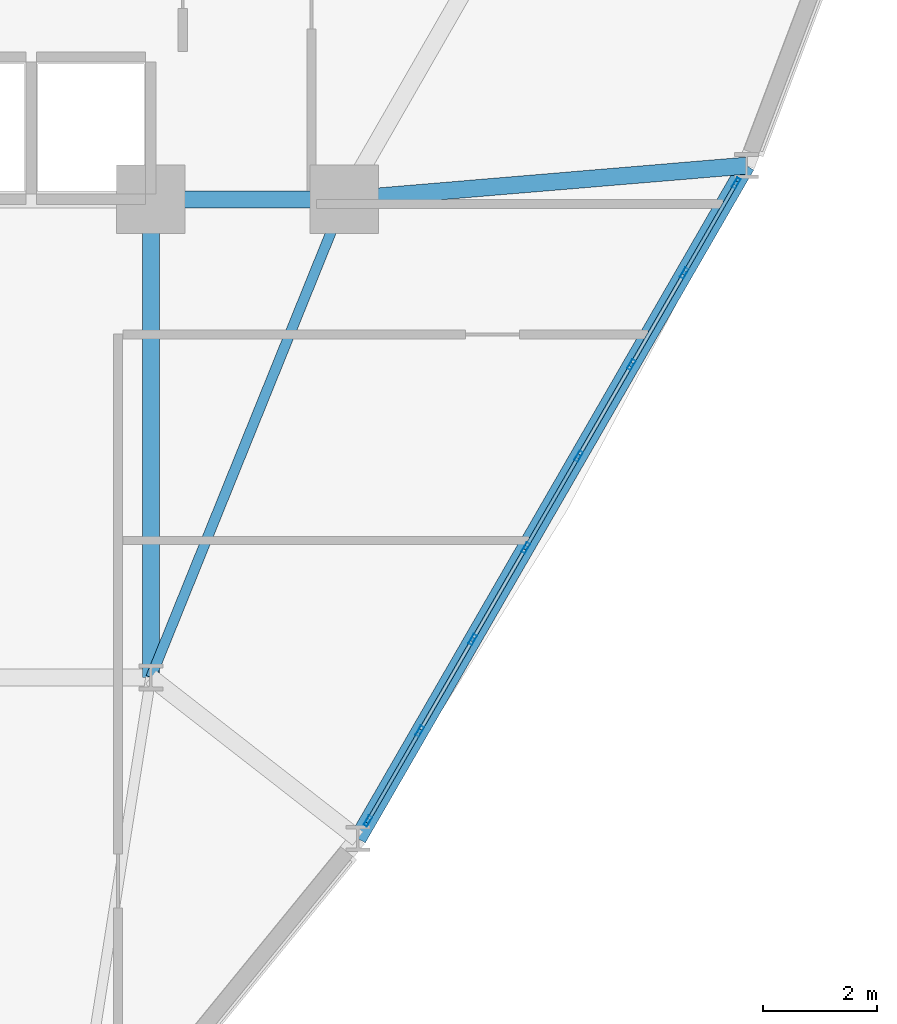
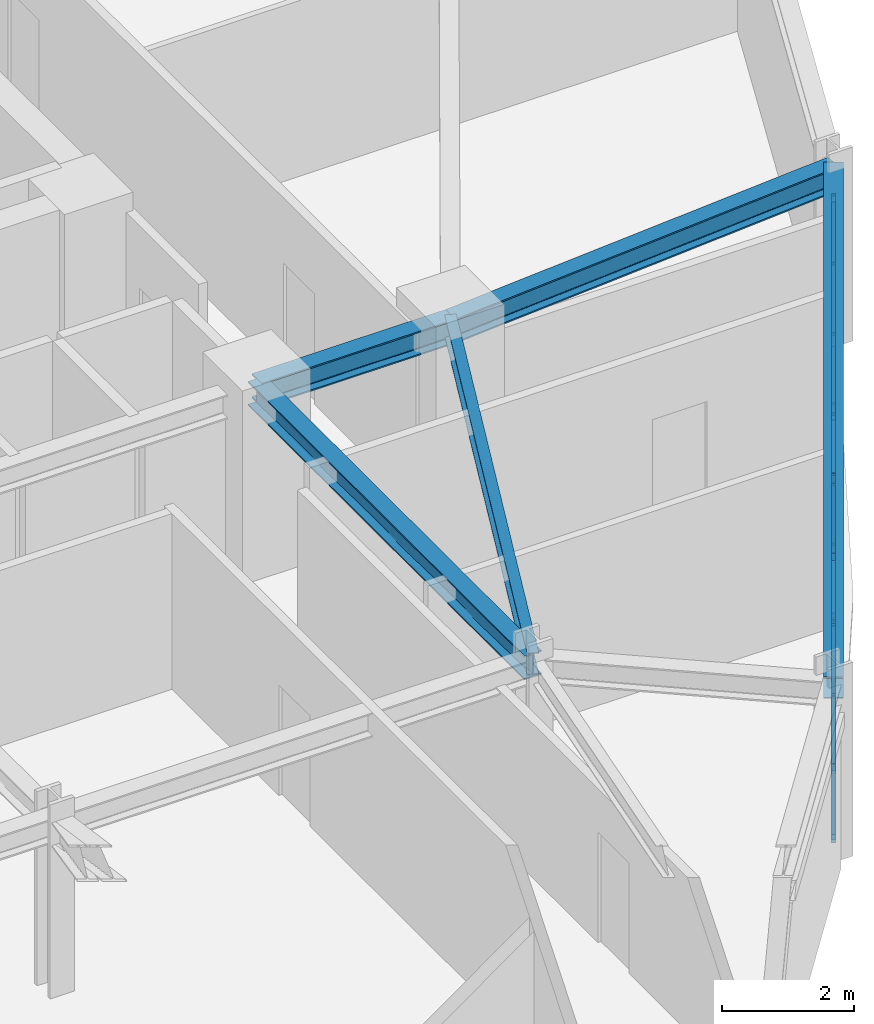
# One storey, part 6 of 17: 25 members, 5 beams, 1 element without a shape of its own.
"""IFC4 building model written with IfcOpenShell, lengths in metres."""

from ifc_helpers import new_model, si_unit, derived_unit, direction, frame, origin, origin_2d, place, context, subcontext, project, spatial, hollow_rectangle, i_section, extrude, source, transform, mapped, material, layer, layer_set, material_profile, profile_set, type_object, element, aggregate, save


model = new_model("IFC4")

# Units and contexts
model_context = context("Model", 3, precision=1e-05, world=origin(), true_north=direction((0.0, 1.0)))
body_context = subcontext(model_context, "Body", "Model", "MODEL_VIEW")
ifc_project = project(units=[si_unit("LENGTHUNIT", "METRE"), si_unit("AREAUNIT", "SQUARE_METRE"), si_unit("VOLUMEUNIT", "CUBIC_METRE"), si_unit("PLANEANGLEUNIT", "RADIAN"), si_unit("MASSUNIT", "GRAM", prefix="KILO"), derived_unit("THERMALTRANSMITTANCEUNIT", [(si_unit("POWERUNIT", "WATT"), 1), (si_unit("LENGTHUNIT", "METRE"), -2), (si_unit("THERMODYNAMICTEMPERATUREUNIT", "KELVIN"), -1)])], contexts=[model_context])

# Site, building, storey
site_placement = place(None, origin())
site = spatial("IfcSite", under=ifc_project, at=site_placement, CompositionType="ELEMENT")
building_placement = place(site_placement, origin())
building = spatial("IfcBuilding", under=site, at=building_placement, Name="Korsvarv Bourse and Concert Hall", CompositionType="ELEMENT")
storey_placement = place(building_placement, frame((0.0, 0.0, 127.800048828125)))
storey = spatial("IfcBuildingStorey", under=building, at=storey_placement, Name="L32", CompositionType="ELEMENT", Elevation=127.800048828125)

# Beams
ifc_material_1 = material(Name="Steel S355", Category="steel")
ifc_material_profile_1 = material_profile(ifc_material_1, i_section(OverallWidth=0.179931640625, OverallDepth=0.39990234375, WebThickness=0.008544921875, FlangeThickness=0.013427734375, FilletRadius=0.02099609375, at=origin_2d()), Name="IPE 400")
ifc_profile_set_1 = profile_set([ifc_material_profile_1], Name="Steel S355")
beam_type_1 = type_object("IfcBeamType", Name="BM-IPE400", PredefinedType="JOIST", material=ifc_profile_set_1)
shared_shape_1 = source(origin(), body_context, "Body", "SweptSolid", [
    extrude(i_section(OverallWidth=0.179931640625, OverallDepth=0.39990234375, WebThickness=0.008544921875, FlangeThickness=0.013427734375, FilletRadius=0.02099609375, at=origin_2d()), origin(), (0.0, 0.0, 1.0), 9.06201171875),
])
beam_1_placement = place(storey_placement, frame((47.800048828125, 32.39990234375, 3.06005859375), z_axis=(-0.375210394783, -0.926939674222, 0.0), x_axis=(0.926939674222, -0.375210394783, 0.0)))
element("IfcBeam", 1, at=beam_1_placement, inside=storey, type_object=beam_type_1, Name="L32 beam J-05", PredefinedType="JOIST", context=body_context, shape_type="MappedRepresentation", body=[
    mapped(shared_shape_1, transform((0.0, 0.0, 0.0), scale=1.0)),
])
ifc_material_profile_2 = material_profile(ifc_material_1, i_section(OverallWidth=0.300048828125, OverallDepth=0.449951171875, WebThickness=0.013916015625, FlangeThickness=0.02587890625, FilletRadius=0.02099609375, at=origin_2d()), Name="HEB 450")
ifc_profile_set_2 = profile_set([ifc_material_profile_2], Name="Steel S355")
beam_type_2 = type_object("IfcBeamType", Name="BM-HEB450", PredefinedType="SPANDREL", material=ifc_profile_set_2)
shared_shape_2 = source(origin(), body_context, "Body", "SweptSolid", [
    extrude(i_section(OverallWidth=0.300048828125, OverallDepth=0.449951171875, WebThickness=0.013916015625, FlangeThickness=0.02587890625, FilletRadius=0.02099609375, at=origin_2d()), origin(), (0.0, 0.0, 1.0), 3.400146484375),
])
beam_2_placement = place(storey_placement, frame((44.39990234375, 32.39990234375, 3.034912109375), z_axis=(1.0, 0.0, 0.0), x_axis=(0.0, 1.0, 0.0)))
element("IfcBeam", 2, at=beam_2_placement, inside=storey, type_object=beam_type_2, Name="L32 beam B-08", PredefinedType="SPANDREL", context=body_context, shape_type="MappedRepresentation", body=[
    mapped(shared_shape_2, transform((0.0, 0.0, 0.0), scale=1.0)),
])
shared_shape_3 = source(origin(), body_context, "Body", "SweptSolid", [
    extrude(i_section(OverallWidth=0.300048828125, OverallDepth=0.449951171875, WebThickness=0.013916015625, FlangeThickness=0.02587890625, FilletRadius=0.02099609375, at=origin_2d()), origin(), (0.0, 0.0, 1.0), 8.39990234375),
])
beam_3_placement = place(storey_placement, frame((44.39990234375, 24.0, 3.034912109375), z_axis=(0.0, 1.0, 0.0), x_axis=(-1.0, 0.0, 0.0)))
element("IfcBeam", 3, at=beam_3_placement, inside=storey, type_object=beam_type_2, Name="L32 beam B-08", PredefinedType="SPANDREL", context=body_context, shape_type="MappedRepresentation", body=[
    mapped(shared_shape_3, transform((0.0, 0.0, 0.0), scale=1.0)),
])
ifc_material_profile_3 = material_profile(ifc_material_1, i_section(OverallWidth=0.300048828125, OverallDepth=0.39990234375, WebThickness=0.013427734375, FlangeThickness=0.02392578125, FilletRadius=0.02099609375, at=origin_2d()), Name="HEB 400")
ifc_profile_set_3 = profile_set([ifc_material_profile_3], Name="Steel S355")
beam_type_3 = type_object("IfcBeamType", Name="BM-HEB400", PredefinedType="SPANDREL", material=ifc_profile_set_3)
shared_shape_4 = source(origin(), body_context, "Body", "SweptSolid", [
    extrude(i_section(OverallWidth=0.300048828125, OverallDepth=0.39990234375, WebThickness=0.013427734375, FlangeThickness=0.02392578125, FilletRadius=0.02099609375, at=origin_2d()), origin(), (0.0, 0.0, 1.0), 13.6533203125),
])
beam_4_placement = place(storey_placement, frame((48.03759765625, 21.167236328125, 3.06005859375), z_axis=(0.499996939111, 0.866027170982, 0.0), x_axis=(-0.866027170982, 0.499996939111, 0.0)))
element("IfcBeam", 4, at=beam_4_placement, inside=storey, type_object=beam_type_3, Name="L32 beam B-09", PredefinedType="SPANDREL", context=body_context, shape_type="MappedRepresentation", body=[
    mapped(shared_shape_4, transform((0.0, 0.0, 0.0), scale=1.0)),
])
shared_shape_5 = source(origin(), body_context, "Body", "SweptSolid", [
    extrude(i_section(OverallWidth=0.300048828125, OverallDepth=0.449951171875, WebThickness=0.013916015625, FlangeThickness=0.02587890625, FilletRadius=0.02099609375, at=origin_2d()), origin(), (0.0, 0.0, 1.0), 7.0888671875),
])
beam_5_placement = place(storey_placement, frame((54.8642578125, 32.991455078125, 3.034912109375), z_axis=(-0.996512187592, -0.083447348558, 0.0), x_axis=(0.083447348558, -0.996512187592, 0.0)))
element("IfcBeam", 5, at=beam_5_placement, inside=storey, type_object=beam_type_2, Name="L32 beam B-08", PredefinedType="SPANDREL", context=body_context, shape_type="MappedRepresentation", body=[
    mapped(shared_shape_5, transform((0.0, 0.0, 0.0), scale=1.0)),
])

# Curtain wall, members
ifc_material_2 = material(Name="Anodised aluminium and triple low-E glazing", Category="glass")
ifc_layer = layer(ifc_material_2, 0.2099609375)
ifc_layer_set = layer_set([ifc_layer], Name="Anodised aluminium and triple low-E glazing")
curtain_wall_type = type_object("IfcCurtainWallType", Name="CW-SYS-2", PredefinedType="NOTDEFINED", material=ifc_layer_set)
curtain_wall_placement = place(storey_placement, origin())
curtain_wall = element("IfcCurtainWall", 6, at=curtain_wall_placement, inside=storey, type_object=curtain_wall_type, Name="L32 CW2 curtain wall CW-L32-F11", PredefinedType="NOTDEFINED")
ifc_material_3 = material(Name="Extruded aluminium EN AW-6063 T66", Category="aluminium")
ifc_material_profile_4 = material_profile(ifc_material_3, hollow_rectangle(XDim=0.06494140625, YDim=0.139892578125, WallThickness=0.00390625, at=origin_2d()), Name="ALU-T 65x140")
ifc_profile_set_4 = profile_set([ifc_material_profile_4], Name="Extruded aluminium EN AW-6063 T66")
member_type_1 = type_object("IfcMemberType", Name="CWT-140", PredefinedType="USERDEFINED", material=ifc_profile_set_4)
shared_shape_6 = source(origin(), body_context, "Body", "SweptSolid", [
    extrude(hollow_rectangle(XDim=0.06494140625, YDim=0.139892578125, WallThickness=0.00390625, at=origin_2d()), origin(), (0.0, 0.0, 1.0), 1.75390625),
])
member_1_placement = place(storey_placement, frame((48.232666015625, 21.50537109375, 0.032470703125), z_axis=(0.499971461383, 0.866041879935, 0.0), x_axis=(-0.866041879935, 0.499971461383, 0.0)))
member_1 = element("IfcMember", 7, at=member_1_placement, type_object=member_type_1, Name="CW2 transom 1.1", ObjectType="TRANSOM", PredefinedType="USERDEFINED", context=body_context, shape_type="MappedRepresentation", body=[
    mapped(shared_shape_6, transform((0.0, 0.0, 0.0), scale=1.0)),
])
member_2_placement = place(storey_placement, frame((48.232666015625, 21.50537109375, 2.827392578125), z_axis=(0.499971461383, 0.866041879935, 0.0), x_axis=(-0.866041879935, 0.499971461383, 0.0)))
member_2 = element("IfcMember", 8, at=member_2_placement, type_object=member_type_1, Name="CW2 transom 1.2", ObjectType="TRANSOM", PredefinedType="USERDEFINED", context=body_context, shape_type="MappedRepresentation", body=[
    mapped(shared_shape_6, transform((0.0, 0.0, 0.0), scale=1.0)),
])
member_3_placement = place(storey_placement, frame((53.792236328125, 31.134521484375, 0.032470703125), z_axis=(0.500031736301, 0.866007080047, 0.0), x_axis=(-0.866007080047, 0.500031736301, 0.0)))
member_3 = element("IfcMember", 9, at=member_3_placement, type_object=member_type_1, Name="CW2 transom 7.1", ObjectType="TRANSOM", PredefinedType="USERDEFINED", context=body_context, shape_type="MappedRepresentation", body=[
    mapped(shared_shape_6, transform((0.0, 0.0, 0.0), scale=1.0)),
])
member_4_placement = place(storey_placement, frame((53.792236328125, 31.134521484375, 2.827392578125), z_axis=(0.500031736301, 0.866007080047, 0.0), x_axis=(-0.866007080047, 0.500031736301, 0.0)))
member_4 = element("IfcMember", 10, at=member_4_placement, type_object=member_type_1, Name="CW2 transom 7.2", ObjectType="TRANSOM", PredefinedType="USERDEFINED", context=body_context, shape_type="MappedRepresentation", body=[
    mapped(shared_shape_6, transform((0.0, 0.0, 0.0), scale=1.0)),
])
shared_shape_7 = source(origin(), body_context, "Body", "SweptSolid", [
    extrude(hollow_rectangle(XDim=0.06494140625, YDim=0.139892578125, WallThickness=0.00390625, at=origin_2d()), origin(), (0.0, 0.0, 1.0), 1.788818359375),
])
member_5_placement = place(storey_placement, frame((49.144775390625, 23.0849609375, 0.032470703125), z_axis=(0.499911478227, 0.866076505822, 0.0), x_axis=(-0.866076505822, 0.499911478227, 0.0)))
member_5 = element("IfcMember", 11, at=member_5_placement, type_object=member_type_1, Name="CW2 transom 2.1", ObjectType="TRANSOM", PredefinedType="USERDEFINED", context=body_context, shape_type="MappedRepresentation", body=[
    mapped(shared_shape_7, transform((0.0, 0.0, 0.0), scale=1.0)),
])
member_6_placement = place(storey_placement, frame((49.144775390625, 23.0849609375, 2.827392578125), z_axis=(0.499911478227, 0.866076505822, 0.0), x_axis=(-0.866076505822, 0.499911478227, 0.0)))
member_6 = element("IfcMember", 12, at=member_6_placement, type_object=member_type_1, Name="CW2 transom 2.2", ObjectType="TRANSOM", PredefinedType="USERDEFINED", context=body_context, shape_type="MappedRepresentation", body=[
    mapped(shared_shape_7, transform((0.0, 0.0, 0.0), scale=1.0)),
])
member_7_placement = place(storey_placement, frame((52.862548828125, 29.524658203125, 0.032470703125), z_axis=(0.500072935515, 0.86598329035, 0.0), x_axis=(-0.86598329035, 0.500072935515, 0.0)))
member_7 = element("IfcMember", 13, at=member_7_placement, type_object=member_type_1, Name="CW2 transom 6.1", ObjectType="TRANSOM", PredefinedType="USERDEFINED", context=body_context, shape_type="MappedRepresentation", body=[
    mapped(shared_shape_7, transform((0.0, 0.0, 0.0), scale=1.0)),
])
member_8_placement = place(storey_placement, frame((52.862548828125, 29.524658203125, 2.827392578125), z_axis=(0.500072935515, 0.86598329035, 0.0), x_axis=(-0.86598329035, 0.500072935515, 0.0)))
member_8 = element("IfcMember", 14, at=member_8_placement, type_object=member_type_1, Name="CW2 transom 6.2", ObjectType="TRANSOM", PredefinedType="USERDEFINED", context=body_context, shape_type="MappedRepresentation", body=[
    mapped(shared_shape_7, transform((0.0, 0.0, 0.0), scale=1.0)),
])
shared_shape_8 = source(origin(), body_context, "Body", "SweptSolid", [
    extrude(hollow_rectangle(XDim=0.06494140625, YDim=0.139892578125, WallThickness=0.00390625, at=origin_2d()), origin(), (0.0, 0.0, 1.0), 1.7890625),
])
member_9_placement = place(storey_placement, frame((50.07421875, 24.69482421875, 0.032470703125), z_axis=(0.500013836808, 0.866017414952, 0.0), x_axis=(-0.866017414952, 0.500013836808, 0.0)))
member_9 = element("IfcMember", 15, at=member_9_placement, type_object=member_type_1, Name="CW2 transom 3.1", ObjectType="TRANSOM", PredefinedType="USERDEFINED", context=body_context, shape_type="MappedRepresentation", body=[
    mapped(shared_shape_8, transform((0.0, 0.0, 0.0), scale=1.0)),
])
member_10_placement = place(storey_placement, frame((50.07421875, 24.69482421875, 2.827392578125), z_axis=(0.500013836808, 0.866017414952, 0.0), x_axis=(-0.866017414952, 0.500013836808, 0.0)))
member_10 = element("IfcMember", 16, at=member_10_placement, type_object=member_type_1, Name="CW2 transom 3.2", ObjectType="TRANSOM", PredefinedType="USERDEFINED", context=body_context, shape_type="MappedRepresentation", body=[
    mapped(shared_shape_8, transform((0.0, 0.0, 0.0), scale=1.0)),
])
member_11_placement = place(storey_placement, frame((51.003662109375, 26.3046875, 0.032470703125), z_axis=(0.500013836808, 0.866017414952, 0.0), x_axis=(-0.866017414952, 0.500013836808, 0.0)))
member_11 = element("IfcMember", 17, at=member_11_placement, type_object=member_type_1, Name="CW2 transom 4.1", ObjectType="TRANSOM", PredefinedType="USERDEFINED", context=body_context, shape_type="MappedRepresentation", body=[
    mapped(shared_shape_8, transform((0.0, 0.0, 0.0), scale=1.0)),
])
member_12_placement = place(storey_placement, frame((51.003662109375, 26.3046875, 2.827392578125), z_axis=(0.500013836808, 0.866017414952, 0.0), x_axis=(-0.866017414952, 0.500013836808, 0.0)))
member_12 = element("IfcMember", 18, at=member_12_placement, type_object=member_type_1, Name="CW2 transom 4.2", ObjectType="TRANSOM", PredefinedType="USERDEFINED", context=body_context, shape_type="MappedRepresentation", body=[
    mapped(shared_shape_8, transform((0.0, 0.0, 0.0), scale=1.0)),
])
member_13_placement = place(storey_placement, frame((51.93310546875, 27.91455078125, 0.032470703125), z_axis=(0.500013836808, 0.866017414952, 0.0), x_axis=(-0.866017414952, 0.500013836808, 0.0)))
member_13 = element("IfcMember", 19, at=member_13_placement, type_object=member_type_1, Name="CW2 transom 5.1", ObjectType="TRANSOM", PredefinedType="USERDEFINED", context=body_context, shape_type="MappedRepresentation", body=[
    mapped(shared_shape_8, transform((0.0, 0.0, 0.0), scale=1.0)),
])
member_14_placement = place(storey_placement, frame((51.93310546875, 27.91455078125, 2.827392578125), z_axis=(0.500013836808, 0.866017414952, 0.0), x_axis=(-0.866017414952, 0.500013836808, 0.0)))
member_14 = element("IfcMember", 20, at=member_14_placement, type_object=member_type_1, Name="CW2 transom 5.2", ObjectType="TRANSOM", PredefinedType="USERDEFINED", context=body_context, shape_type="MappedRepresentation", body=[
    mapped(shared_shape_8, transform((0.0, 0.0, 0.0), scale=1.0)),
])
ifc_material_profile_5 = material_profile(ifc_material_3, hollow_rectangle(XDim=0.070068359375, YDim=0.18994140625, WallThickness=0.0048828125, at=origin_2d()), Name="ALU-M 70x190")
ifc_profile_set_5 = profile_set([ifc_material_profile_5], Name="Extruded aluminium EN AW-6063 T66")
member_type_2 = type_object("IfcMemberType", Name="CWM-190", PredefinedType="MULLION", material=ifc_profile_set_5)
shared_shape_9 = source(origin(), body_context, "Body", "SweptSolid", [
    extrude(hollow_rectangle(XDim=0.070068359375, YDim=0.18994140625, WallThickness=0.0048828125, at=origin_2d()), origin(), (0.0, 0.0, 1.0), 2.85986328125),
])
member_15_placement = place(storey_placement, frame((48.215087890625, 21.47509765625, 0.0), z_axis=(0.0, 0.0, 1.0), x_axis=(-0.866021265954, 0.500007166863, 0.0)))
member_15 = element("IfcMember", 21, at=member_15_placement, type_object=member_type_2, Name="CW2 mullion 1", PredefinedType="MULLION", context=body_context, shape_type="MappedRepresentation", body=[
    mapped(shared_shape_9, transform((0.0, 0.0, 0.0), scale=1.0)),
])
member_16_placement = place(storey_placement, frame((49.127197265625, 23.0546875, 0.0), z_axis=(0.0, 0.0, 1.0), x_axis=(-0.866021265954, 0.500007166863, 0.0)))
member_16 = element("IfcMember", 22, at=member_16_placement, type_object=member_type_2, Name="CW2 mullion 2", PredefinedType="MULLION", context=body_context, shape_type="MappedRepresentation", body=[
    mapped(shared_shape_9, transform((0.0, 0.0, 0.0), scale=1.0)),
])
member_17_placement = place(storey_placement, frame((50.056640625, 24.66455078125, 0.0), z_axis=(0.0, 0.0, 1.0), x_axis=(-0.866021265954, 0.500007166863, 0.0)))
member_17 = element("IfcMember", 23, at=member_17_placement, type_object=member_type_2, Name="CW2 mullion 3", PredefinedType="MULLION", context=body_context, shape_type="MappedRepresentation", body=[
    mapped(shared_shape_9, transform((0.0, 0.0, 0.0), scale=1.0)),
])
member_18_placement = place(storey_placement, frame((50.986083984375, 26.2744140625, 0.0), z_axis=(0.0, 0.0, 1.0), x_axis=(-0.866021265954, 0.500007166863, 0.0)))
member_18 = element("IfcMember", 24, at=member_18_placement, type_object=member_type_2, Name="CW2 mullion 4", PredefinedType="MULLION", context=body_context, shape_type="MappedRepresentation", body=[
    mapped(shared_shape_9, transform((0.0, 0.0, 0.0), scale=1.0)),
])
member_19_placement = place(storey_placement, frame((51.91552734375, 27.88427734375, 0.0), z_axis=(0.0, 0.0, 1.0), x_axis=(-0.866021265954, 0.500007166863, 0.0)))
member_19 = element("IfcMember", 25, at=member_19_placement, type_object=member_type_2, Name="CW2 mullion 5", PredefinedType="MULLION", context=body_context, shape_type="MappedRepresentation", body=[
    mapped(shared_shape_9, transform((0.0, 0.0, 0.0), scale=1.0)),
])
member_20_placement = place(storey_placement, frame((52.84521484375, 29.494140625, 0.0), z_axis=(0.0, 0.0, 1.0), x_axis=(-0.866021265954, 0.500007166863, 0.0)))
member_20 = element("IfcMember", 26, at=member_20_placement, type_object=member_type_2, Name="CW2 mullion 6", PredefinedType="MULLION", context=body_context, shape_type="MappedRepresentation", body=[
    mapped(shared_shape_9, transform((0.0, 0.0, 0.0), scale=1.0)),
])
member_21_placement = place(storey_placement, frame((53.774658203125, 31.10400390625, 0.0), z_axis=(0.0, 0.0, 1.0), x_axis=(-0.866021265954, 0.500007166863, 0.0)))
member_21 = element("IfcMember", 27, at=member_21_placement, type_object=member_type_2, Name="CW2 mullion 7", PredefinedType="MULLION", context=body_context, shape_type="MappedRepresentation", body=[
    mapped(shared_shape_9, transform((0.0, 0.0, 0.0), scale=1.0)),
])
member_22_placement = place(storey_placement, frame((54.6865234375, 32.68359375, 0.0), z_axis=(0.0, 0.0, 1.0), x_axis=(-0.866021265954, 0.500007166863, 0.0)))
member_22 = element("IfcMember", 28, at=member_22_placement, type_object=member_type_2, Name="CW2 mullion 8", PredefinedType="MULLION", context=body_context, shape_type="MappedRepresentation", body=[
    mapped(shared_shape_9, transform((0.0, 0.0, 0.0), scale=1.0)),
])
ifc_material_profile_6 = material_profile(ifc_material_3, hollow_rectangle(XDim=0.06494140625, YDim=0.1650390625, WallThickness=0.0048828125, at=origin_2d()), Name="ALU-M 65x165")
ifc_profile_set_6 = profile_set([ifc_material_profile_6], Name="Extruded aluminium EN AW-6063 T66")
member_type_3 = type_object("IfcMemberType", Name="CWM-165", PredefinedType="MULLION", material=ifc_profile_set_6)
shared_shape_10 = source(origin(), body_context, "Body", "SweptSolid", [
    extrude(hollow_rectangle(XDim=0.06494140625, YDim=0.1650390625, WallThickness=0.0048828125, at=origin_2d()), origin(), (0.0, 0.0, 1.0), 3.244873046875),
])
member_23_placement = place(storey_placement, frame((48.232666015625, 21.50537109375, 0.06494140625), z_axis=(0.270256393379, 0.468133429734, 0.841315977385), x_axis=(-0.866041879935, 0.499971461383, 0.0)))
member_23 = element("IfcMember", 29, at=member_23_placement, type_object=member_type_3, Name="CW2 diagonal mullion 1", PredefinedType="MULLION", context=body_context, shape_type="MappedRepresentation", body=[
    mapped(shared_shape_10, transform((0.0, 0.0, 0.0), scale=1.0)),
])
member_24_placement = place(storey_placement, frame((53.792236328125, 31.134521484375, 0.06494140625), z_axis=(0.270265911985, 0.46807467663, 0.841345609079), x_axis=(-0.866007080047, 0.500031736301, 0.0)))
member_24 = element("IfcMember", 30, at=member_24_placement, type_object=member_type_3, Name="CW2 diagonal mullion 7", PredefinedType="MULLION", context=body_context, shape_type="MappedRepresentation", body=[
    mapped(shared_shape_10, transform((0.0, 0.0, 0.0), scale=1.0)),
])
shared_shape_11 = source(origin(), body_context, "Body", "SweptSolid", [
    extrude(hollow_rectangle(XDim=0.06494140625, YDim=0.1650390625, WallThickness=0.0048828125, at=origin_2d()), origin(), (0.0, 0.0, 1.0), 3.263916015625),
])
member_25_placement = place(storey_placement, frame((51.898193359375, 27.85400390625, 0.06494140625), z_axis=(-0.274064130188, -0.474675483126, 0.836404231376), x_axis=(0.866017414952, -0.500013836808, 0.0)))
member_25 = element("IfcMember", 31, at=member_25_placement, type_object=member_type_3, Name="CW2 diagonal mullion 4", PredefinedType="MULLION", context=body_context, shape_type="MappedRepresentation", body=[
    mapped(shared_shape_11, transform((0.0, 0.0, 0.0), scale=1.0)),
])
aggregate(curtain_wall, [member_15, member_16, member_17, member_18, member_19, member_20, member_21, member_22, member_1, member_2, member_23, member_5, member_6, member_9, member_10, member_11, member_12, member_25, member_13, member_14, member_7, member_8, member_3, member_4, member_24])

save(model, "model.ifc")
